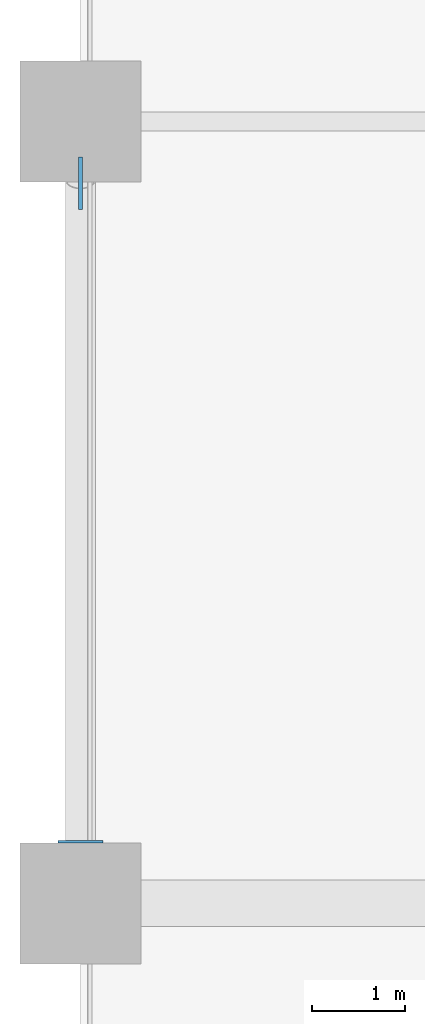
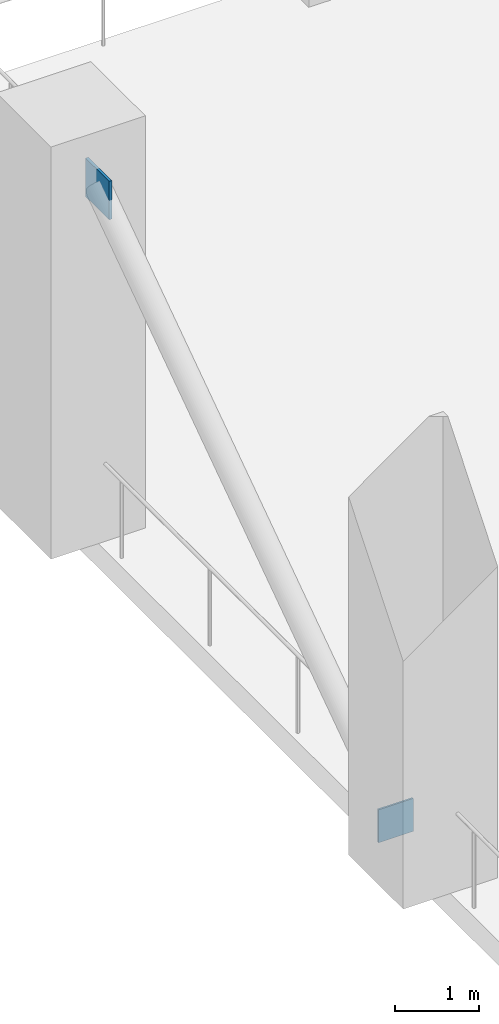
# One storey, part 11 of 19: 2 plates.
"""IFC4 building model written with IfcOpenShell, lengths in metres."""

import ifcopenshell
import ifcopenshell.guid

model = None  # the IFC model being written
_history = None  # IfcOwnerHistory: only IFC2X3 demands one
_inside = {}  # id of a spatial element -> (the spatial element, [elements in it])
_under = {}  # id of a project, library or spatial element -> (it, [spatial elements below it])
_declared = {}  # id of a project -> (the project, [libraries it declares])
_typed = {}  # id of a type object -> (the type object, [elements of that type])
_made_of = {}  # id of a material, layer set ... -> (it, [elements and type objects made of it])


def new_model(schema):
    """Start an empty IFC model of exactly this schema.

    Asked for "IFC4X3", IfcOpenShell would pick the latest addendum, in which some entities
    have other attributes; the version numbers below select the first issue.
    IFC2X3 requires an IfcOwnerHistory on every rooted entity: one is made here for all.
    """
    global model, _history
    if schema == "IFC4X3":
        model = ifcopenshell.file(schema_version=(4, 3, 0, 0))
    else:
        model = ifcopenshell.file(schema=schema)
    _inside.clear()
    _under.clear()
    _declared.clear()
    _typed.clear()
    _made_of.clear()
    _history = None
    if model.schema == "IFC2X3":
        org = make("IfcOrganization", Name="unknown")
        user = make(
            "IfcPersonAndOrganization",
            ThePerson=make("IfcPerson", FamilyName="unknown"),
            TheOrganization=org,
        )
        app = make(
            "IfcApplication",
            ApplicationDeveloper=org,
            Version="unknown",
            ApplicationFullName="unknown",
            ApplicationIdentifier="unknown",
        )
        _history = make(
            "IfcOwnerHistory",
            OwningUser=user,
            OwningApplication=app,
            ChangeAction="ADDED",
            CreationDate=0,
        )
    return model


def make(cls, **values):
    """One entity of the class cls with the attributes given. An attribute that is None is left unset."""
    return model.create_entity(
        cls, **{name: value for name, value in values.items() if value is not None}
    )


def rooted(cls, **values):
    """An entity with a GlobalId (a new one), such as an element, a storey or a relation."""
    return make(cls, GlobalId=ifcopenshell.guid.new(), OwnerHistory=_history, **values)


def si_unit(unit_type, name, prefix=None):
    """IfcSIUnit, for example si_unit("LENGTHUNIT", "METRE", prefix="MILLI")."""
    return make("IfcSIUnit", UnitType=unit_type, Prefix=prefix, Name=name)


def assignment(units):
    """IfcUnitAssignment: the units of a project."""
    return None if units is None else make("IfcUnitAssignment", Units=units)


def point(xyz):
    """IfcCartesianPoint."""
    return None if xyz is None else make("IfcCartesianPoint", Coordinates=xyz)


def direction(xyz):
    """IfcDirection."""
    return None if xyz is None else make("IfcDirection", DirectionRatios=xyz)


def frame(location, z_axis=None, x_axis=None):
    """IfcAxis2Placement3D, a coordinate frame: its origin and axes. An axis left out is left unset."""
    return make(
        "IfcAxis2Placement3D",
        Location=point(location),
        Axis=direction(z_axis),
        RefDirection=direction(x_axis),
    )


def frame_2d(location, x_axis=None):
    """IfcAxis2Placement2D, a coordinate frame in the plane: its origin and x axis."""
    return make(
        "IfcAxis2Placement2D", Location=point(location), RefDirection=direction(x_axis)
    )


def origin():
    """The frame at (0, 0, 0) with its axes left unset."""
    return frame((0.0, 0.0, 0.0))


def origin_2d():
    """The frame at (0, 0) in the plane with its x axis left unset."""
    return frame_2d((0.0, 0.0))


def place(relative_to, where):
    """IfcLocalPlacement: puts the frame where relative to a parent placement (None: the world)."""
    return make(
        "IfcLocalPlacement", PlacementRelTo=relative_to, RelativePlacement=where
    )


def context(
    kind, dimensions, precision=None, world=None, true_north=None, identifier=None
):
    """IfcGeometricRepresentationContext, for example the 3D "Model" context."""
    return make(
        "IfcGeometricRepresentationContext",
        ContextIdentifier=identifier,
        ContextType=kind,
        CoordinateSpaceDimension=dimensions,
        Precision=precision,
        WorldCoordinateSystem=world,
        TrueNorth=true_north,
    )


def subcontext(parent, identifier, kind, view, scale=None):
    """IfcGeometricRepresentationSubContext, for example "Body" below "Model"."""
    return make(
        "IfcGeometricRepresentationSubContext",
        ContextIdentifier=identifier,
        ContextType=kind,
        ParentContext=parent,
        TargetScale=scale,
        TargetView=view,
    )


def project(units=None, contexts=None):
    """IfcProject with its units and contexts."""
    return rooted(
        "IfcProject",
        Name="project",
        RepresentationContexts=contexts,
        UnitsInContext=assignment(units),
    )


def spatial(cls, under=None, at=None, **own):
    """A site, building, storey or space (cls), placed at a placement, below another one or the project."""
    s = rooted(cls, ObjectPlacement=at, **own)
    if under is not None:
        _under.setdefault(under.id(), (under, []))[1].append(s)
    return s


def profile(cls, at=None, kind="AREA", **sizes):
    """A parametric profile (cls). Its sizes go by their IFC names, for example OverallWidth=200.0."""
    return make(cls, ProfileType=kind, Position=at, **sizes)


def rectangle(**sizes):
    """IfcRectangleProfileDef."""
    return profile("IfcRectangleProfileDef", **sizes)


def extrude(swept, where, along, depth):
    """IfcExtrudedAreaSolid: the profile swept, set in the frame where, extruded along a direction by depth."""
    return make(
        "IfcExtrudedAreaSolid",
        SweptArea=swept,
        Position=where,
        ExtrudedDirection=direction(along),
        Depth=depth,
    )


def shape(context_of_items, identifier, shape_type, items):
    """IfcShapeRepresentation: the items that make up one representation, for example the "Body"."""
    return make(
        "IfcShapeRepresentation",
        ContextOfItems=context_of_items,
        RepresentationIdentifier=identifier,
        RepresentationType=shape_type,
        Items=items,
    )


def material(Name=None, Category=None):
    """IfcMaterial."""
    return make("IfcMaterial", Name=Name, Category=Category)


def layer(
    of_material, thickness, ventilated=None, Name=None, Category=None, Priority=None
):
    """IfcMaterialLayer: one layer of a wall or slab, of a material (None: an air gap)."""
    return make(
        "IfcMaterialLayer",
        Material=of_material,
        LayerThickness=thickness,
        IsVentilated=ventilated,
        Name=Name,
        Category=Category,
        Priority=Priority,
    )


def layer_set(layers, Name=None):
    """IfcMaterialLayerSet."""
    return make("IfcMaterialLayerSet", MaterialLayers=layers, LayerSetName=Name)


def made_of(thing, what):
    """Note that an element or type object is made of a material, layer set ...; save() writes the relation."""
    if what is not None:
        _made_of.setdefault(what.id(), (what, []))[1].append(thing)
    return thing


def type_object(cls, material=None, **own):
    """A type object (cls), such as IfcWallType, which elements share."""
    return made_of(rooted(cls, **own), material)


def element(
    cls,
    number,
    at=None,
    inside=None,
    cuts=None,
    type_object=None,
    material=None,
    context=None,
    identifier="Body",
    shape_type=None,
    held_by="IfcProductDefinitionShape",
    body=None,
    shapes=None,
    **own,
):
    """One element of the class cls, such as IfcWall. Its Tag is "e" and its number.

    at: its placement. inside: the storey or other place that contains it. cuts: it is an
    opening in that element (IfcRelVoidsElement). A single representation is given by context,
    identifier, shape_type and body (its items); several are given by shapes. held_by: the class
    of the entity that holds the representations. save() writes the other relations.
    """
    e = rooted(cls, Tag="e%d" % number, ObjectPlacement=at, **own)
    if body is not None:
        shapes = [shape(context, identifier, shape_type, body)]
    if shapes is not None:
        e.Representation = make(held_by, Representations=shapes)
    if inside is not None:
        _inside.setdefault(inside.id(), (inside, []))[1].append(e)
    if cuts is not None:
        rooted(
            "IfcRelVoidsElement", RelatingBuildingElement=cuts, RelatedOpeningElement=e
        )
    if type_object is not None:
        _typed.setdefault(type_object.id(), (type_object, []))[1].append(e)
    return made_of(e, material)


def aggregate(whole, parts):
    """IfcRelAggregates: a whole, such as a stair, and the parts it consists of."""
    return rooted("IfcRelAggregates", RelatingObject=whole, RelatedObjects=parts)


def save(model, path):
    """Write the relations noted so far, then the file.

    IfcRelAggregates (storeys below a building ...), IfcRelContainedInSpatialStructure (elements
    in a storey), IfcRelDefinesByType, IfcRelAssociatesMaterial and IfcRelDeclares: one each for
    every whole, place, type object, material and project.
    """
    for whole, parts in _under.values():
        aggregate(whole, parts)
    for where, things in _inside.values():
        rooted(
            "IfcRelContainedInSpatialStructure",
            RelatedElements=things,
            RelatingStructure=where,
        )
    for kind, things in _typed.values():
        rooted("IfcRelDefinesByType", RelatedObjects=things, RelatingType=kind)
    for what, things in _made_of.values():
        rooted("IfcRelAssociatesMaterial", RelatedObjects=things, RelatingMaterial=what)
    for by, libraries in _declared.values():
        rooted("IfcRelDeclares", RelatingContext=by, RelatedDefinitions=libraries)
    model.write(path)


model = new_model("IFC4")

# Units and contexts
model_context = context("Model", 3, precision=1e-05, world=origin(), true_north=direction((0.0, 1.0)))
body_context = subcontext(model_context, "Body", "Model", "MODEL_VIEW")
ifc_project = project(units=[si_unit("LENGTHUNIT", "METRE"), si_unit("AREAUNIT", "SQUARE_METRE"), si_unit("VOLUMEUNIT", "CUBIC_METRE"), si_unit("PLANEANGLEUNIT", "RADIAN"), si_unit("MASSUNIT", "GRAM", prefix="KILO")], contexts=[model_context])

# Site, building, storey
site_placement = place(None, origin())
site = spatial("IfcSite", under=ifc_project, at=site_placement, CompositionType="ELEMENT")
building_placement = place(site_placement, origin())
building = spatial("IfcBuilding", under=site, at=building_placement, Name="Koriwani Terraces Tower", CompositionType="ELEMENT")
storey_placement = place(building_placement, frame((0.0, 0.0, 94.0)))
storey = spatial("IfcBuildingStorey", under=building, at=storey_placement, Name="L22", CompositionType="ELEMENT", Elevation=94.0)

# Plates
ifc_material = material(Name="Steel ASTM A572 Grade 50", Category="steel")
ifc_layer_1 = layer(ifc_material, 0.02490234375, Name="Steel ASTM A572 Grade 50")
ifc_layer_set_1 = layer_set([ifc_layer_1], Name="Steel ASTM A572 Grade 50")
plate_type_1 = type_object("IfcPlateType", Name="STEEL_CAP_PLATE_25", PredefinedType="USERDEFINED", material=ifc_layer_set_1)
plate_1_placement = place(storey_placement, frame((0.0, 76.262939453125, 0.03271484375), z_axis=(0.0, 0.0, 1.0), x_axis=(0.0, 1.0, 0.0)))
element("IfcPlate", 1, at=plate_1_placement, inside=storey, type_object=plate_type_1, Name="Brace End Cap Plate BT-L22-BW4", ObjectType="FLANGE_PLATE", PredefinedType="USERDEFINED", context=body_context, shape_type="SweptSolid", body=[
    extrude(rectangle(XDim=0.02490234375, YDim=0.47998046875, at=origin_2d()), origin(), (0.0, 0.0, 1.0), 0.47998046875),
])
ifc_layer_2 = layer(ifc_material, 0.0400390625, Name="Steel ASTM A572 Grade 50")
ifc_layer_set_2 = layer_set([ifc_layer_2], Name="Steel ASTM A572 Grade 50")
plate_type_2 = type_object("IfcPlateType", Name="STEEL_GUSSET_PLATE_40", PredefinedType="USERDEFINED", material=ifc_layer_set_2)
plate_2_placement = place(storey_placement, frame((0.0, 83.337158203125, 4.897216796875), z_axis=(0.0, 0.0, 1.0), x_axis=(0.0, 1.0, 0.0)))
element("IfcPlate", 2, at=plate_2_placement, inside=storey, type_object=plate_type_2, Name="Brace Node Gusset Plate BT-L22-BW4", ObjectType="GUSSET_PLATE", PredefinedType="USERDEFINED", context=body_context, shape_type="SweptSolid", body=[
    extrude(rectangle(XDim=0.56005859375, YDim=0.0400390625, at=origin_2d()), origin(), (0.0, 0.0, 1.0), 0.56005859375),
])

save(model, "model.ifc")
